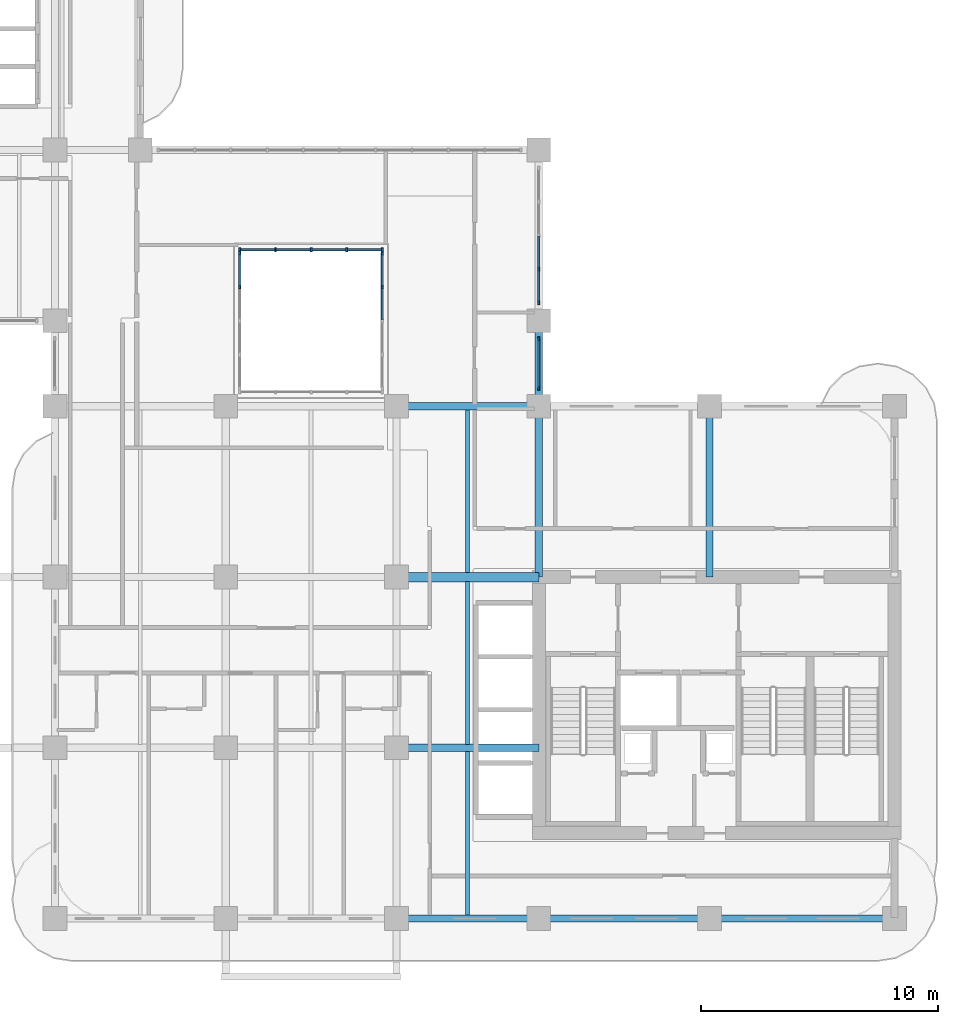
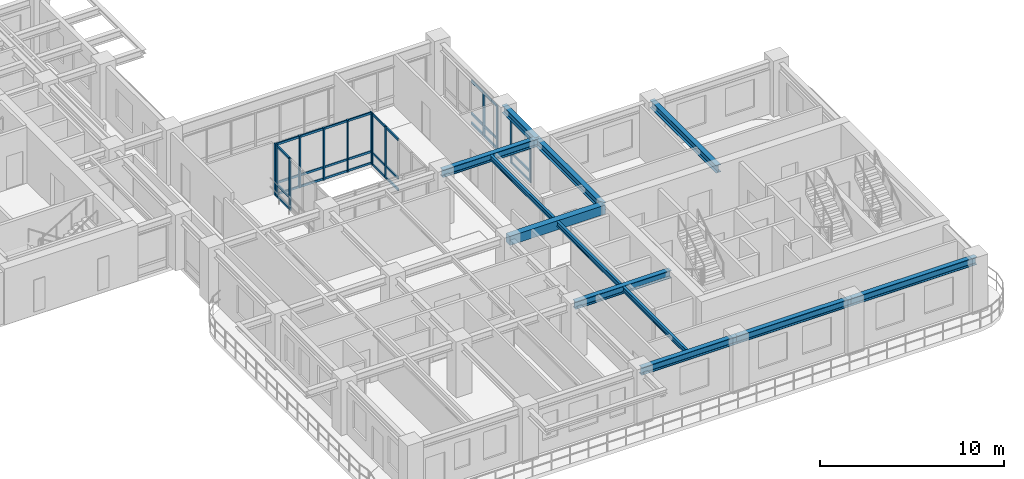
# One storey, part 3 of 20: 43 members, 12 beams, 5 elements without a shape of their own.
"""IFC4 building model written with IfcOpenShell, lengths in metres."""

from ifc_helpers import new_model, si_unit, derived_unit, direction, frame, origin, origin_2d, place, context, subcontext, project, spatial, rectangle, i_section, extrude, source, transform, mapped, material, layer, layer_set, material_profile, profile_set, type_object, type_shapes, element, aggregate, save


model = new_model("IFC4")

# Units and contexts
model_context = context("Model", 3, precision=1e-05, world=origin(), true_north=direction((0.0, 1.0)))
body_context = subcontext(model_context, "Body", "Model", "MODEL_VIEW")
ifc_project = project(units=[si_unit("LENGTHUNIT", "METRE"), si_unit("AREAUNIT", "SQUARE_METRE"), si_unit("VOLUMEUNIT", "CUBIC_METRE"), si_unit("PLANEANGLEUNIT", "RADIAN"), si_unit("MASSUNIT", "GRAM", prefix="KILO"), si_unit("THERMODYNAMICTEMPERATUREUNIT", "KELVIN"), si_unit("POWERUNIT", "WATT"), derived_unit("THERMALTRANSMITTANCEUNIT", [(si_unit("POWERUNIT", "WATT"), 1), (si_unit("AREAUNIT", "SQUARE_METRE"), -1), (si_unit("THERMODYNAMICTEMPERATUREUNIT", "KELVIN"), -1)])], contexts=[model_context])

# Site, building, storey
site_placement = place(None, origin())
site = spatial("IfcSite", under=ifc_project, at=site_placement, CompositionType="ELEMENT")
building_placement = place(site_placement, origin())
building = spatial("IfcBuilding", under=site, at=building_placement, Name="Zahravan Archway Hotel and Residences", CompositionType="ELEMENT")
storey_placement = place(building_placement, frame((0.0, 0.0, 119.199951171875)))
storey = spatial("IfcBuildingStorey", under=building, at=storey_placement, Name="L29", CompositionType="ELEMENT", Elevation=119.199951171875)

# Beams
ifc_material_1 = material(Name="Concrete C60/75", Category="concrete")
ifc_material_profile_1 = material_profile(ifc_material_1, rectangle(XDim=0.39990234375, YDim=0.60009765625, at=origin_2d()), Name="RC-LNT-400x600", Category="concrete")
ifc_profile_set_1 = profile_set([ifc_material_profile_1], Name="Concrete C60/75")
beam_type_1 = type_object("IfcBeamType", Name="LNT-RC-400x600", PredefinedType="LINTEL", material=ifc_profile_set_1)
shared_shape_1 = source(origin(), body_context, "Body", "SweptSolid", [
    extrude(rectangle(XDim=0.39990234375, YDim=0.60009765625, at=origin_2d()), origin(), (0.0, 0.0, 1.0), 6.0),
])
type_shapes(beam_type_1, [shared_shape_1])
beam_1_placement = place(storey_placement, frame((28.800048828125, 14.39990234375, 3.150146484375), z_axis=(1.0, 0.0, 0.0), x_axis=(0.0, 1.0, 0.0)))
element("IfcBeam", 1, at=beam_1_placement, inside=storey, type_object=beam_type_1, Name="L29 Core A Coupling Lintel Beam", PredefinedType="LINTEL", context=body_context, shape_type="MappedRepresentation", body=[
    mapped(shared_shape_1, transform((0.0, 0.0, 0.0), scale=1.0)),
])
ifc_material_2 = material(Name="Structural Steel S355JR", Category="steel")
ifc_material_profile_2 = material_profile(ifc_material_2, i_section(OverallWidth=0.300048828125, OverallDepth=0.5, WebThickness=0.014404296875, FlangeThickness=0.028076171875, FilletRadius=0.027099609375, at=origin_2d()), Name="HEB 500", Category="steel")
ifc_profile_set_2 = profile_set([ifc_material_profile_2], Name="Structural Steel S355JR")
beam_type_2 = type_object("IfcBeamType", Name="BM-PRI-HEB500", PredefinedType="BEAM", material=ifc_profile_set_2)
shared_shape_2 = source(origin(), body_context, "Body", "SweptSolid", [
    extrude(i_section(OverallWidth=0.300048828125, OverallDepth=0.5, WebThickness=0.014404296875, FlangeThickness=0.028076171875, FilletRadius=0.027099609375, at=origin_2d()), origin(), (0.0, 0.0, 1.0), 7.2001953125),
])
type_shapes(beam_type_2, [shared_shape_2])
for number, where, z_axis, x_axis, name in (
    (2, (34.800048828125, 14.39990234375, 3.199951171875), (0.0, 1.0, 0.0), (-1.0, 0.0, 0.0), "L29 Primary Girder NS-41"),
    (3, (42.0, 14.39990234375, 3.199951171875), (0.0, 1.0, 0.0), (-1.0, 0.0, 0.0), "L29 Primary Girder NS-44"),
):
    element("IfcBeam", number, at=place(storey_placement, frame(where, z_axis=z_axis, x_axis=x_axis)), inside=storey, type_object=beam_type_2, Name=name, PredefinedType="BEAM", context=body_context, shape_type="MappedRepresentation", body=[
        mapped(shared_shape_2, transform((0.0, 0.0, 0.0), scale=1.0)),
    ])
shared_shape_3 = source(origin(), body_context, "Body", "SweptSolid", [
    extrude(i_section(OverallWidth=0.300048828125, OverallDepth=0.5, WebThickness=0.014404296875, FlangeThickness=0.028076171875, FilletRadius=0.027099609375, at=origin_2d()), origin(), (0.0, 0.0, 1.0), 7.199951171875),
])
beam_2_placement = place(storey_placement, frame((34.800048828125, 0.0, 3.199951171875), z_axis=(1.0, 0.0, 0.0), x_axis=(0.0, 1.0, 0.0)))
element("IfcBeam", 4, at=beam_2_placement, inside=storey, type_object=beam_type_2, Name="L29 Primary Girder EW-04", PredefinedType="BEAM", context=body_context, shape_type="MappedRepresentation", body=[
    mapped(shared_shape_3, transform((0.0, 0.0, 0.0), scale=1.0)),
])
shared_shape_4 = source(origin(), body_context, "Body", "SweptSolid", [
    extrude(i_section(OverallWidth=0.300048828125, OverallDepth=0.5, WebThickness=0.014404296875, FlangeThickness=0.028076171875, FilletRadius=0.027099609375, at=origin_2d()), origin(), (0.0, 0.0, 1.0), 6.0),
])
for number, where, z_axis, x_axis, name in (
    (5, (28.800048828125, 0.0, 3.199951171875), (1.0, 0.0, 0.0), (0.0, 1.0, 0.0), "L29 Primary Girder EW-03"),
    (6, (28.800048828125, 7.199951171875, 3.199951171875), (1.0, 0.0, 0.0), (0.0, 1.0, 0.0), "L29 Primary Girder EW-08"),
    (7, (28.800048828125, 21.60009765625, 3.199951171875), (1.0, 0.0, 0.0), (0.0, 1.0, 0.0), "L29 Primary Girder EW-13"),
):
    element("IfcBeam", number, at=place(storey_placement, frame(where, z_axis=z_axis, x_axis=x_axis)), inside=storey, type_object=beam_type_2, Name=name, PredefinedType="BEAM", context=body_context, shape_type="MappedRepresentation", body=[
        mapped(shared_shape_4, transform((0.0, 0.0, 0.0), scale=1.0)),
    ])
shared_shape_5 = source(origin(), body_context, "Body", "SweptSolid", [
    extrude(i_section(OverallWidth=0.300048828125, OverallDepth=0.5, WebThickness=0.014404296875, FlangeThickness=0.028076171875, FilletRadius=0.027099609375, at=origin_2d()), origin(), (0.0, 0.0, 1.0), 7.800048828125),
])
beam_3_placement = place(storey_placement, frame((42.0, 0.0, 3.199951171875), z_axis=(1.0, 0.0, 0.0), x_axis=(0.0, 1.0, 0.0)))
element("IfcBeam", 8, at=beam_3_placement, inside=storey, type_object=beam_type_2, Name="L29 Primary Girder EW-05", PredefinedType="BEAM", context=body_context, shape_type="MappedRepresentation", body=[
    mapped(shared_shape_5, transform((0.0, 0.0, 0.0), scale=1.0)),
])
shared_shape_6 = source(origin(), body_context, "Body", "SweptSolid", [
    extrude(i_section(OverallWidth=0.300048828125, OverallDepth=0.5, WebThickness=0.014404296875, FlangeThickness=0.028076171875, FilletRadius=0.027099609375, at=origin_2d()), origin(), (0.0, 0.0, 1.0), 3.599853515625),
])
beam_4_placement = place(storey_placement, frame((34.800048828125, 21.60009765625, 3.199951171875), z_axis=(0.0, 1.0, 0.0), x_axis=(-1.0, 0.0, 0.0)))
element("IfcBeam", 9, at=beam_4_placement, inside=storey, type_object=beam_type_2, Name="L29 Primary Girder NS-42", PredefinedType="BEAM", context=body_context, shape_type="MappedRepresentation", body=[
    mapped(shared_shape_6, transform((0.0, 0.0, 0.0), scale=1.0)),
])
ifc_material_profile_3 = material_profile(ifc_material_2, i_section(OverallWidth=0.159912109375, OverallDepth=0.330078125, WebThickness=0.007568359375, FlangeThickness=0.011474609375, FilletRadius=0.01806640625, at=origin_2d()), Name="IPE 330", Category="steel")
ifc_profile_set_3 = profile_set([ifc_material_profile_3], Name="Structural Steel S355JR")
beam_type_3 = type_object("IfcBeamType", Name="BM-JST-IPE330", PredefinedType="JOIST", material=ifc_profile_set_3)
shared_shape_7 = source(origin(), body_context, "Body", "SweptSolid", [
    extrude(i_section(OverallWidth=0.159912109375, OverallDepth=0.330078125, WebThickness=0.007568359375, FlangeThickness=0.011474609375, FilletRadius=0.01806640625, at=origin_2d()), origin(), (0.0, 0.0, 1.0), 6.904052734375),
])
type_shapes(beam_type_3, [shared_shape_7])
beam_5_placement = place(storey_placement, frame((31.800048828125, 0.14794921875, 3.28515625), z_axis=(0.0, 1.0, 0.0), x_axis=(-1.0, 0.0, 0.0)))
element("IfcBeam", 10, at=beam_5_placement, inside=storey, type_object=beam_type_3, Name="L29 Composite Floor Joist 03", PredefinedType="JOIST", context=body_context, shape_type="MappedRepresentation", body=[
    mapped(shared_shape_7, transform((0.0, 0.0, 0.0), scale=1.0)),
])
shared_shape_8 = source(origin(), body_context, "Body", "SweptSolid", [
    extrude(i_section(OverallWidth=0.159912109375, OverallDepth=0.330078125, WebThickness=0.007568359375, FlangeThickness=0.011474609375, FilletRadius=0.01806640625, at=origin_2d()), origin(), (0.0, 0.0, 1.0), 6.85400390625),
])
for number, where, z_axis, x_axis, name in (
    (11, (31.800048828125, 7.347900390625, 3.28515625), (0.0, 1.0, 0.0), (-1.0, 0.0, 0.0), "L29 Composite Floor Joist 06"),
    (12, (31.800048828125, 14.597900390625, 3.28515625), (0.0, 1.0, 0.0), (-1.0, 0.0, 0.0), "L29 Composite Floor Joist 07"),
):
    element("IfcBeam", number, at=place(storey_placement, frame(where, z_axis=z_axis, x_axis=x_axis)), inside=storey, type_object=beam_type_3, Name=name, PredefinedType="JOIST", context=body_context, shape_type="MappedRepresentation", body=[
        mapped(shared_shape_8, transform((0.0, 0.0, 0.0), scale=1.0)),
    ])

# Curtain wall, members
ifc_material_3 = material(Name="Bronze-Anodized Unitised Aluminium & Low-E Glass", Category="aluminium")
ifc_layer = layer(ifc_material_3, 0.179931640625, Name="Bronze-Anodized Unitised Aluminium & Low-E Glass", Category="aluminium")
ifc_layer_set = layer_set([ifc_layer], Name="Bronze-Anodized Unitised Aluminium & Low-E Glass")
curtain_wall_type = type_object("IfcCurtainWallType", Name="CW-ATR-GLAZ", PredefinedType="NOTDEFINED", material=ifc_layer_set)
curtain_wall_1_placement = place(storey_placement, origin())
curtain_wall_1 = element("IfcCurtainWall", 13, at=curtain_wall_1_placement, inside=storey, type_object=curtain_wall_type, Name="L29 Curtain Wall CW-L29-HNG-E-2", PredefinedType="NOTDEFINED")
ifc_material_4 = material(Name="Bronze-Anodized Extruded Aluminium", Category="aluminium")
ifc_material_profile_4 = material_profile(ifc_material_4, rectangle(XDim=0.080078125, YDim=0.139892578125, at=origin_2d()), Name="TRN 80x140", Category="aluminium")
ifc_profile_set_4 = profile_set([ifc_material_profile_4], Name="Bronze-Anodized Extruded Aluminium")
member_type_1 = type_object("IfcMemberType", Name="CWM-TRN-140", PredefinedType="USERDEFINED", material=ifc_profile_set_4)
shared_shape_9 = source(origin(), body_context, "Body", "SweptSolid", [
    extrude(rectangle(XDim=0.080078125, YDim=0.139892578125, at=origin_2d()), origin(), (0.0, 0.0, 1.0), 1.340087890625),
])
member_1_placement = place(storey_placement, frame((34.800048828125, 26.0, 0.070068359375), z_axis=(0.0, 1.0, 0.0), x_axis=(-1.0, 0.0, 0.0)))
member_1 = element("IfcMember", 14, at=member_1_placement, type_object=member_type_1, Name="CW-L29-HNG-E-2 Transom 0-1", ObjectType="TRANSOM", PredefinedType="USERDEFINED", context=body_context, shape_type="MappedRepresentation", body=[
    mapped(shared_shape_9, transform((0.0, 0.0, 0.0), scale=1.0)),
])
member_2_placement = place(storey_placement, frame((34.800048828125, 26.0, 0.704345703125), z_axis=(0.0, 1.0, 0.0), x_axis=(-1.0, 0.0, 0.0)))
member_2 = element("IfcMember", 15, at=member_2_placement, type_object=member_type_1, Name="CW-L29-HNG-E-2 Transom 0-2", ObjectType="TRANSOM", PredefinedType="USERDEFINED", context=body_context, shape_type="MappedRepresentation", body=[
    mapped(shared_shape_9, transform((0.0, 0.0, 0.0), scale=1.0)),
])
member_3_placement = place(storey_placement, frame((34.800048828125, 26.0, 2.864990234375), z_axis=(0.0, 1.0, 0.0), x_axis=(-1.0, 0.0, 0.0)))
member_3 = element("IfcMember", 16, at=member_3_placement, type_object=member_type_1, Name="CW-L29-HNG-E-2 Transom 0-3", ObjectType="TRANSOM", PredefinedType="USERDEFINED", context=body_context, shape_type="MappedRepresentation", body=[
    mapped(shared_shape_9, transform((0.0, 0.0, 0.0), scale=1.0)),
])
member_4_placement = place(storey_placement, frame((34.800048828125, 27.419921875, 0.070068359375), z_axis=(0.0, 1.0, 0.0), x_axis=(-1.0, 0.0, 0.0)))
member_4 = element("IfcMember", 17, at=member_4_placement, type_object=member_type_1, Name="CW-L29-HNG-E-2 Transom 1-1", ObjectType="TRANSOM", PredefinedType="USERDEFINED", context=body_context, shape_type="MappedRepresentation", body=[
    mapped(shared_shape_9, transform((0.0, 0.0, 0.0), scale=1.0)),
])
member_5_placement = place(storey_placement, frame((34.800048828125, 27.419921875, 0.704345703125), z_axis=(0.0, 1.0, 0.0), x_axis=(-1.0, 0.0, 0.0)))
member_5 = element("IfcMember", 18, at=member_5_placement, type_object=member_type_1, Name="CW-L29-HNG-E-2 Transom 1-2", ObjectType="TRANSOM", PredefinedType="USERDEFINED", context=body_context, shape_type="MappedRepresentation", body=[
    mapped(shared_shape_9, transform((0.0, 0.0, 0.0), scale=1.0)),
])
member_6_placement = place(storey_placement, frame((34.800048828125, 27.419921875, 2.864990234375), z_axis=(0.0, 1.0, 0.0), x_axis=(-1.0, 0.0, 0.0)))
member_6 = element("IfcMember", 19, at=member_6_placement, type_object=member_type_1, Name="CW-L29-HNG-E-2 Transom 1-3", ObjectType="TRANSOM", PredefinedType="USERDEFINED", context=body_context, shape_type="MappedRepresentation", body=[
    mapped(shared_shape_9, transform((0.0, 0.0, 0.0), scale=1.0)),
])

curtain_wall_2_placement = place(storey_placement, origin())
curtain_wall_2 = element("IfcCurtainWall", 20, at=curtain_wall_2_placement, inside=storey, type_object=curtain_wall_type, Name="L29 Curtain Wall CW-L29-HNG-E-1", PredefinedType="NOTDEFINED")
shared_shape_10 = source(origin(), body_context, "Body", "SweptSolid", [
    extrude(rectangle(XDim=0.080078125, YDim=0.139892578125, at=origin_2d()), origin(), (0.0, 0.0, 1.0), 2.0),
])
member_7_placement = place(storey_placement, frame((34.800048828125, 22.39990234375, 0.070068359375), z_axis=(0.0, 1.0, 0.0), x_axis=(-1.0, 0.0, 0.0)))
member_7 = element("IfcMember", 21, at=member_7_placement, type_object=member_type_1, Name="CW-L29-HNG-E-1 Transom 0-1", ObjectType="TRANSOM", PredefinedType="USERDEFINED", context=body_context, shape_type="MappedRepresentation", body=[
    mapped(shared_shape_10, transform((0.0, 0.0, 0.0), scale=1.0)),
])
member_8_placement = place(storey_placement, frame((34.800048828125, 22.39990234375, 0.704345703125), z_axis=(0.0, 1.0, 0.0), x_axis=(-1.0, 0.0, 0.0)))
member_8 = element("IfcMember", 22, at=member_8_placement, type_object=member_type_1, Name="CW-L29-HNG-E-1 Transom 0-2", ObjectType="TRANSOM", PredefinedType="USERDEFINED", context=body_context, shape_type="MappedRepresentation", body=[
    mapped(shared_shape_10, transform((0.0, 0.0, 0.0), scale=1.0)),
])
member_9_placement = place(storey_placement, frame((34.800048828125, 22.39990234375, 2.864990234375), z_axis=(0.0, 1.0, 0.0), x_axis=(-1.0, 0.0, 0.0)))
member_9 = element("IfcMember", 23, at=member_9_placement, type_object=member_type_1, Name="CW-L29-HNG-E-1 Transom 0-3", ObjectType="TRANSOM", PredefinedType="USERDEFINED", context=body_context, shape_type="MappedRepresentation", body=[
    mapped(shared_shape_10, transform((0.0, 0.0, 0.0), scale=1.0)),
])

curtain_wall_3_placement = place(storey_placement, origin())
curtain_wall_3 = element("IfcCurtainWall", 24, at=curtain_wall_3_placement, inside=storey, type_object=curtain_wall_type, Name="L29 Curtain Wall CW-ATR-L29-N-1", PredefinedType="NOTDEFINED")
ifc_material_profile_5 = material_profile(ifc_material_4, rectangle(XDim=0.080078125, YDim=0.159912109375, at=origin_2d()), Name="MUL 80x160", Category="aluminium")
ifc_profile_set_5 = profile_set([ifc_material_profile_5], Name="Bronze-Anodized Extruded Aluminium")
member_type_2 = type_object("IfcMemberType", Name="CWM-MUL-160", PredefinedType="MULLION", material=ifc_profile_set_5)
shared_shape_11 = source(origin(), body_context, "Body", "SweptSolid", [
    extrude(rectangle(XDim=0.080078125, YDim=0.159912109375, at=origin_2d()), origin(), (0.0, 0.0, 1.0), 3.449951171875),
])
member_10_placement = place(storey_placement, frame((22.199951171875, 28.199951171875, 0.0), z_axis=(0.0, 0.0, 1.0), x_axis=(1.0, 0.0, 0.0)))
member_10 = element("IfcMember", 25, at=member_10_placement, type_object=member_type_2, Name="CW-ATR-L29-N-1 Mullion 0", PredefinedType="MULLION", context=body_context, shape_type="MappedRepresentation", body=[
    mapped(shared_shape_11, transform((0.0, 0.0, 0.0), scale=1.0)),
])
member_11_placement = place(storey_placement, frame((23.699951171875, 28.199951171875, 0.0), z_axis=(0.0, 0.0, 1.0), x_axis=(1.0, 0.0, 0.0)))
member_11 = element("IfcMember", 26, at=member_11_placement, type_object=member_type_2, Name="CW-ATR-L29-N-1 Mullion 1", PredefinedType="MULLION", context=body_context, shape_type="MappedRepresentation", body=[
    mapped(shared_shape_11, transform((0.0, 0.0, 0.0), scale=1.0)),
])
member_12_placement = place(storey_placement, frame((25.199951171875, 28.199951171875, 0.0), z_axis=(0.0, 0.0, 1.0), x_axis=(1.0, 0.0, 0.0)))
member_12 = element("IfcMember", 27, at=member_12_placement, type_object=member_type_2, Name="CW-ATR-L29-N-1 Mullion 2", PredefinedType="MULLION", context=body_context, shape_type="MappedRepresentation", body=[
    mapped(shared_shape_11, transform((0.0, 0.0, 0.0), scale=1.0)),
])
member_13_placement = place(storey_placement, frame((26.699951171875, 28.199951171875, 0.0), z_axis=(0.0, 0.0, 1.0), x_axis=(1.0, 0.0, 0.0)))
member_13 = element("IfcMember", 28, at=member_13_placement, type_object=member_type_2, Name="CW-ATR-L29-N-1 Mullion 3", PredefinedType="MULLION", context=body_context, shape_type="MappedRepresentation", body=[
    mapped(shared_shape_11, transform((0.0, 0.0, 0.0), scale=1.0)),
])
member_14_placement = place(storey_placement, frame((28.199951171875, 28.199951171875, 0.0), z_axis=(0.0, 0.0, 1.0), x_axis=(1.0, 0.0, 0.0)))
member_14 = element("IfcMember", 29, at=member_14_placement, type_object=member_type_2, Name="CW-ATR-L29-N-1 Mullion 4", PredefinedType="MULLION", context=body_context, shape_type="MappedRepresentation", body=[
    mapped(shared_shape_11, transform((0.0, 0.0, 0.0), scale=1.0)),
])

curtain_wall_4_placement = place(storey_placement, origin())
curtain_wall_4 = element("IfcCurtainWall", 30, at=curtain_wall_4_placement, inside=storey, type_object=curtain_wall_type, Name="L29 Curtain Wall CW-ATR-L29-W-1", PredefinedType="NOTDEFINED")
member_15_placement = place(storey_placement, frame((22.199951171875, 26.625, 0.0), z_axis=(0.0, 0.0, 1.0), x_axis=(1.0, 0.0, 0.0)))
member_15 = element("IfcMember", 31, at=member_15_placement, type_object=member_type_2, Name="CW-ATR-L29-W-1 Mullion 3", PredefinedType="MULLION", context=body_context, shape_type="MappedRepresentation", body=[
    mapped(shared_shape_11, transform((0.0, 0.0, 0.0), scale=1.0)),
])
member_16_placement = place(storey_placement, frame((22.199951171875, 28.050048828125, 0.0), z_axis=(0.0, 0.0, 1.0), x_axis=(1.0, 0.0, 0.0)))
member_16 = element("IfcMember", 32, at=member_16_placement, type_object=member_type_2, Name="CW-ATR-L29-W-1 Mullion 4", PredefinedType="MULLION", context=body_context, shape_type="MappedRepresentation", body=[
    mapped(shared_shape_11, transform((0.0, 0.0, 0.0), scale=1.0)),
])

curtain_wall_5_placement = place(storey_placement, origin())
curtain_wall_5 = element("IfcCurtainWall", 33, at=curtain_wall_5_placement, inside=storey, type_object=curtain_wall_type, Name="L29 Curtain Wall CW-ATR-L29-E-1", PredefinedType="NOTDEFINED")
member_17_placement = place(storey_placement, frame((28.199951171875, 26.625, 0.0), z_axis=(0.0, 0.0, 1.0), x_axis=(1.0, 0.0, 0.0)))
member_17 = element("IfcMember", 34, at=member_17_placement, type_object=member_type_2, Name="CW-ATR-L29-E-1 Mullion 3", PredefinedType="MULLION", context=body_context, shape_type="MappedRepresentation", body=[
    mapped(shared_shape_11, transform((0.0, 0.0, 0.0), scale=1.0)),
])
member_18_placement = place(storey_placement, frame((28.199951171875, 28.050048828125, 0.0), z_axis=(0.0, 0.0, 1.0), x_axis=(1.0, 0.0, 0.0)))
member_18 = element("IfcMember", 35, at=member_18_placement, type_object=member_type_2, Name="CW-ATR-L29-E-1 Mullion 4", PredefinedType="MULLION", context=body_context, shape_type="MappedRepresentation", body=[
    mapped(shared_shape_11, transform((0.0, 0.0, 0.0), scale=1.0)),
])

# Member
shared_shape_12 = source(origin(), body_context, "Body", "SweptSolid", [
    extrude(rectangle(XDim=0.080078125, YDim=0.139892578125, at=origin_2d()), origin(), (0.0, 0.0, 1.0), 1.419921875),
])
member_19_placement = place(storey_placement, frame((22.239990234375, 28.199951171875, 0.070068359375), z_axis=(1.0, 0.0, 0.0), x_axis=(0.0, 1.0, 0.0)))
member_19 = element("IfcMember", 36, at=member_19_placement, type_object=member_type_1, Name="CW-ATR-L29-N-1 Transom 0-1", ObjectType="TRANSOM", PredefinedType="USERDEFINED", context=body_context, shape_type="MappedRepresentation", body=[
    mapped(shared_shape_12, transform((0.0, 0.0, 0.0), scale=1.0)),
])

member_20_placement = place(storey_placement, frame((22.239990234375, 28.199951171875, 0.828125), z_axis=(1.0, 0.0, 0.0), x_axis=(0.0, 1.0, 0.0)))
member_20 = element("IfcMember", 37, at=member_20_placement, type_object=member_type_1, Name="CW-ATR-L29-N-1 Transom 0-2", ObjectType="TRANSOM", PredefinedType="USERDEFINED", context=body_context, shape_type="MappedRepresentation", body=[
    mapped(shared_shape_12, transform((0.0, 0.0, 0.0), scale=1.0)),
])

member_21_placement = place(storey_placement, frame((22.239990234375, 28.199951171875, 3.380126953125), z_axis=(1.0, 0.0, 0.0), x_axis=(0.0, 1.0, 0.0)))
member_21 = element("IfcMember", 38, at=member_21_placement, type_object=member_type_1, Name="CW-ATR-L29-N-1 Transom 0-3", ObjectType="TRANSOM", PredefinedType="USERDEFINED", context=body_context, shape_type="MappedRepresentation", body=[
    mapped(shared_shape_12, transform((0.0, 0.0, 0.0), scale=1.0)),
])

member_22_placement = place(storey_placement, frame((23.739990234375, 28.199951171875, 0.070068359375), z_axis=(1.0, 0.0, 0.0), x_axis=(0.0, 1.0, 0.0)))
member_22 = element("IfcMember", 39, at=member_22_placement, type_object=member_type_1, Name="CW-ATR-L29-N-1 Transom 1-1", ObjectType="TRANSOM", PredefinedType="USERDEFINED", context=body_context, shape_type="MappedRepresentation", body=[
    mapped(shared_shape_12, transform((0.0, 0.0, 0.0), scale=1.0)),
])

member_23_placement = place(storey_placement, frame((23.739990234375, 28.199951171875, 0.828125), z_axis=(1.0, 0.0, 0.0), x_axis=(0.0, 1.0, 0.0)))
member_23 = element("IfcMember", 40, at=member_23_placement, type_object=member_type_1, Name="CW-ATR-L29-N-1 Transom 1-2", ObjectType="TRANSOM", PredefinedType="USERDEFINED", context=body_context, shape_type="MappedRepresentation", body=[
    mapped(shared_shape_12, transform((0.0, 0.0, 0.0), scale=1.0)),
])

member_24_placement = place(storey_placement, frame((23.739990234375, 28.199951171875, 3.380126953125), z_axis=(1.0, 0.0, 0.0), x_axis=(0.0, 1.0, 0.0)))
member_24 = element("IfcMember", 41, at=member_24_placement, type_object=member_type_1, Name="CW-ATR-L29-N-1 Transom 1-3", ObjectType="TRANSOM", PredefinedType="USERDEFINED", context=body_context, shape_type="MappedRepresentation", body=[
    mapped(shared_shape_12, transform((0.0, 0.0, 0.0), scale=1.0)),
])

member_25_placement = place(storey_placement, frame((25.239990234375, 28.199951171875, 0.070068359375), z_axis=(1.0, 0.0, 0.0), x_axis=(0.0, 1.0, 0.0)))
member_25 = element("IfcMember", 42, at=member_25_placement, type_object=member_type_1, Name="CW-ATR-L29-N-1 Transom 2-1", ObjectType="TRANSOM", PredefinedType="USERDEFINED", context=body_context, shape_type="MappedRepresentation", body=[
    mapped(shared_shape_12, transform((0.0, 0.0, 0.0), scale=1.0)),
])

member_26_placement = place(storey_placement, frame((25.239990234375, 28.199951171875, 0.828125), z_axis=(1.0, 0.0, 0.0), x_axis=(0.0, 1.0, 0.0)))
member_26 = element("IfcMember", 43, at=member_26_placement, type_object=member_type_1, Name="CW-ATR-L29-N-1 Transom 2-2", ObjectType="TRANSOM", PredefinedType="USERDEFINED", context=body_context, shape_type="MappedRepresentation", body=[
    mapped(shared_shape_12, transform((0.0, 0.0, 0.0), scale=1.0)),
])

member_27_placement = place(storey_placement, frame((25.239990234375, 28.199951171875, 3.380126953125), z_axis=(1.0, 0.0, 0.0), x_axis=(0.0, 1.0, 0.0)))
member_27 = element("IfcMember", 44, at=member_27_placement, type_object=member_type_1, Name="CW-ATR-L29-N-1 Transom 2-3", ObjectType="TRANSOM", PredefinedType="USERDEFINED", context=body_context, shape_type="MappedRepresentation", body=[
    mapped(shared_shape_12, transform((0.0, 0.0, 0.0), scale=1.0)),
])

member_28_placement = place(storey_placement, frame((26.739990234375, 28.199951171875, 0.070068359375), z_axis=(1.0, 0.0, 0.0), x_axis=(0.0, 1.0, 0.0)))
member_28 = element("IfcMember", 45, at=member_28_placement, type_object=member_type_1, Name="CW-ATR-L29-N-1 Transom 3-1", ObjectType="TRANSOM", PredefinedType="USERDEFINED", context=body_context, shape_type="MappedRepresentation", body=[
    mapped(shared_shape_12, transform((0.0, 0.0, 0.0), scale=1.0)),
])

member_29_placement = place(storey_placement, frame((26.739990234375, 28.199951171875, 0.828125), z_axis=(1.0, 0.0, 0.0), x_axis=(0.0, 1.0, 0.0)))
member_29 = element("IfcMember", 46, at=member_29_placement, type_object=member_type_1, Name="CW-ATR-L29-N-1 Transom 3-2", ObjectType="TRANSOM", PredefinedType="USERDEFINED", context=body_context, shape_type="MappedRepresentation", body=[
    mapped(shared_shape_12, transform((0.0, 0.0, 0.0), scale=1.0)),
])

member_30_placement = place(storey_placement, frame((26.739990234375, 28.199951171875, 3.380126953125), z_axis=(1.0, 0.0, 0.0), x_axis=(0.0, 1.0, 0.0)))
member_30 = element("IfcMember", 47, at=member_30_placement, type_object=member_type_1, Name="CW-ATR-L29-N-1 Transom 3-3", ObjectType="TRANSOM", PredefinedType="USERDEFINED", context=body_context, shape_type="MappedRepresentation", body=[
    mapped(shared_shape_12, transform((0.0, 0.0, 0.0), scale=1.0)),
])

aggregate(curtain_wall_3, [member_10, member_11, member_12, member_13, member_14, member_19, member_20, member_21, member_22, member_23, member_24, member_25, member_26, member_27, member_28, member_29, member_30])

shared_shape_13 = source(origin(), body_context, "Body", "SweptSolid", [
    extrude(rectangle(XDim=0.080078125, YDim=0.139892578125, at=origin_2d()), origin(), (0.0, 0.0, 1.0), 1.344970703125),
])
member_31_placement = place(storey_placement, frame((22.199951171875, 26.6650390625, 0.070068359375), z_axis=(0.0, 1.0, 0.0), x_axis=(-1.0, 0.0, 0.0)))
member_31 = element("IfcMember", 48, at=member_31_placement, type_object=member_type_1, Name="CW-ATR-L29-W-1 Transom 3-1", ObjectType="TRANSOM", PredefinedType="USERDEFINED", context=body_context, shape_type="MappedRepresentation", body=[
    mapped(shared_shape_13, transform((0.0, 0.0, 0.0), scale=1.0)),
])

member_32_placement = place(storey_placement, frame((22.199951171875, 26.6650390625, 0.828125), z_axis=(0.0, 1.0, 0.0), x_axis=(-1.0, 0.0, 0.0)))
member_32 = element("IfcMember", 49, at=member_32_placement, type_object=member_type_1, Name="CW-ATR-L29-W-1 Transom 3-2", ObjectType="TRANSOM", PredefinedType="USERDEFINED", context=body_context, shape_type="MappedRepresentation", body=[
    mapped(shared_shape_13, transform((0.0, 0.0, 0.0), scale=1.0)),
])

member_33_placement = place(storey_placement, frame((22.199951171875, 26.6650390625, 3.380126953125), z_axis=(0.0, 1.0, 0.0), x_axis=(-1.0, 0.0, 0.0)))
member_33 = element("IfcMember", 50, at=member_33_placement, type_object=member_type_1, Name="CW-ATR-L29-W-1 Transom 3-3", ObjectType="TRANSOM", PredefinedType="USERDEFINED", context=body_context, shape_type="MappedRepresentation", body=[
    mapped(shared_shape_13, transform((0.0, 0.0, 0.0), scale=1.0)),
])

aggregate(curtain_wall_4, [member_15, member_16, member_31, member_32, member_33])

member_34_placement = place(storey_placement, frame((28.199951171875, 25.239990234375, 0.070068359375), z_axis=(0.0, 1.0, 0.0), x_axis=(-1.0, 0.0, 0.0)))
member_34 = element("IfcMember", 51, at=member_34_placement, type_object=member_type_1, Name="CW-ATR-L29-E-1 Transom 2-1", ObjectType="TRANSOM", PredefinedType="USERDEFINED", context=body_context, shape_type="MappedRepresentation", body=[
    mapped(shared_shape_13, transform((0.0, 0.0, 0.0), scale=1.0)),
])

member_35_placement = place(storey_placement, frame((28.199951171875, 25.239990234375, 0.828125), z_axis=(0.0, 1.0, 0.0), x_axis=(-1.0, 0.0, 0.0)))
member_35 = element("IfcMember", 52, at=member_35_placement, type_object=member_type_1, Name="CW-ATR-L29-E-1 Transom 2-2", ObjectType="TRANSOM", PredefinedType="USERDEFINED", context=body_context, shape_type="MappedRepresentation", body=[
    mapped(shared_shape_13, transform((0.0, 0.0, 0.0), scale=1.0)),
])

member_36_placement = place(storey_placement, frame((28.199951171875, 25.239990234375, 3.380126953125), z_axis=(0.0, 1.0, 0.0), x_axis=(-1.0, 0.0, 0.0)))
member_36 = element("IfcMember", 53, at=member_36_placement, type_object=member_type_1, Name="CW-ATR-L29-E-1 Transom 2-3", ObjectType="TRANSOM", PredefinedType="USERDEFINED", context=body_context, shape_type="MappedRepresentation", body=[
    mapped(shared_shape_13, transform((0.0, 0.0, 0.0), scale=1.0)),
])

member_37_placement = place(storey_placement, frame((28.199951171875, 26.6650390625, 0.070068359375), z_axis=(0.0, 1.0, 0.0), x_axis=(-1.0, 0.0, 0.0)))
member_37 = element("IfcMember", 54, at=member_37_placement, type_object=member_type_1, Name="CW-ATR-L29-E-1 Transom 3-1", ObjectType="TRANSOM", PredefinedType="USERDEFINED", context=body_context, shape_type="MappedRepresentation", body=[
    mapped(shared_shape_13, transform((0.0, 0.0, 0.0), scale=1.0)),
])

member_38_placement = place(storey_placement, frame((28.199951171875, 26.6650390625, 0.828125), z_axis=(0.0, 1.0, 0.0), x_axis=(-1.0, 0.0, 0.0)))
member_38 = element("IfcMember", 55, at=member_38_placement, type_object=member_type_1, Name="CW-ATR-L29-E-1 Transom 3-2", ObjectType="TRANSOM", PredefinedType="USERDEFINED", context=body_context, shape_type="MappedRepresentation", body=[
    mapped(shared_shape_13, transform((0.0, 0.0, 0.0), scale=1.0)),
])

member_39_placement = place(storey_placement, frame((28.199951171875, 26.6650390625, 3.380126953125), z_axis=(0.0, 1.0, 0.0), x_axis=(-1.0, 0.0, 0.0)))
member_39 = element("IfcMember", 56, at=member_39_placement, type_object=member_type_1, Name="CW-ATR-L29-E-1 Transom 3-3", ObjectType="TRANSOM", PredefinedType="USERDEFINED", context=body_context, shape_type="MappedRepresentation", body=[
    mapped(shared_shape_13, transform((0.0, 0.0, 0.0), scale=1.0)),
])

aggregate(curtain_wall_5, [member_17, member_18, member_34, member_35, member_36, member_37, member_38, member_39])

shared_shape_14 = source(origin(), body_context, "Body", "SweptSolid", [
    extrude(rectangle(XDim=0.080078125, YDim=0.159912109375, at=origin_2d()), origin(), (0.0, 0.0, 1.0), 2.93505859375),
])
member_40_placement = place(storey_placement, frame((34.800048828125, 22.360107421875, 0.0), z_axis=(0.0, 0.0, 1.0), x_axis=(1.0, 0.0, 0.0)))
member_40 = element("IfcMember", 57, at=member_40_placement, type_object=member_type_2, Name="CW-L29-HNG-E-1 Mullion 0", PredefinedType="MULLION", context=body_context, shape_type="MappedRepresentation", body=[
    mapped(shared_shape_14, transform((0.0, 0.0, 0.0), scale=1.0)),
])

member_41_placement = place(storey_placement, frame((34.800048828125, 24.43994140625, 0.0), z_axis=(0.0, 0.0, 1.0), x_axis=(1.0, 0.0, 0.0)))
member_41 = element("IfcMember", 58, at=member_41_placement, type_object=member_type_2, Name="CW-L29-HNG-E-1 Mullion 1", PredefinedType="MULLION", context=body_context, shape_type="MappedRepresentation", body=[
    mapped(shared_shape_14, transform((0.0, 0.0, 0.0), scale=1.0)),
])

aggregate(curtain_wall_2, [member_40, member_41, member_7, member_8, member_9])

member_42_placement = place(storey_placement, frame((34.800048828125, 25.9599609375, 0.0), z_axis=(0.0, 0.0, 1.0), x_axis=(1.0, 0.0, 0.0)))
member_42 = element("IfcMember", 59, at=member_42_placement, type_object=member_type_2, Name="CW-L29-HNG-E-2 Mullion 0", PredefinedType="MULLION", context=body_context, shape_type="MappedRepresentation", body=[
    mapped(shared_shape_14, transform((0.0, 0.0, 0.0), scale=1.0)),
])

member_43_placement = place(storey_placement, frame((34.800048828125, 27.3798828125, 0.0), z_axis=(0.0, 0.0, 1.0), x_axis=(1.0, 0.0, 0.0)))
member_43 = element("IfcMember", 60, at=member_43_placement, type_object=member_type_2, Name="CW-L29-HNG-E-2 Mullion 1", PredefinedType="MULLION", context=body_context, shape_type="MappedRepresentation", body=[
    mapped(shared_shape_14, transform((0.0, 0.0, 0.0), scale=1.0)),
])

aggregate(curtain_wall_1, [member_42, member_43, member_1, member_2, member_3, member_4, member_5, member_6])

save(model, "model.ifc")
